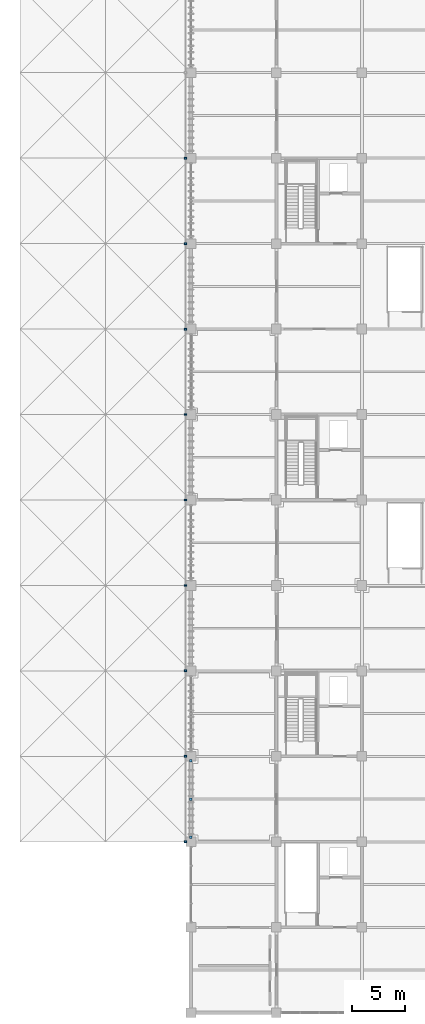
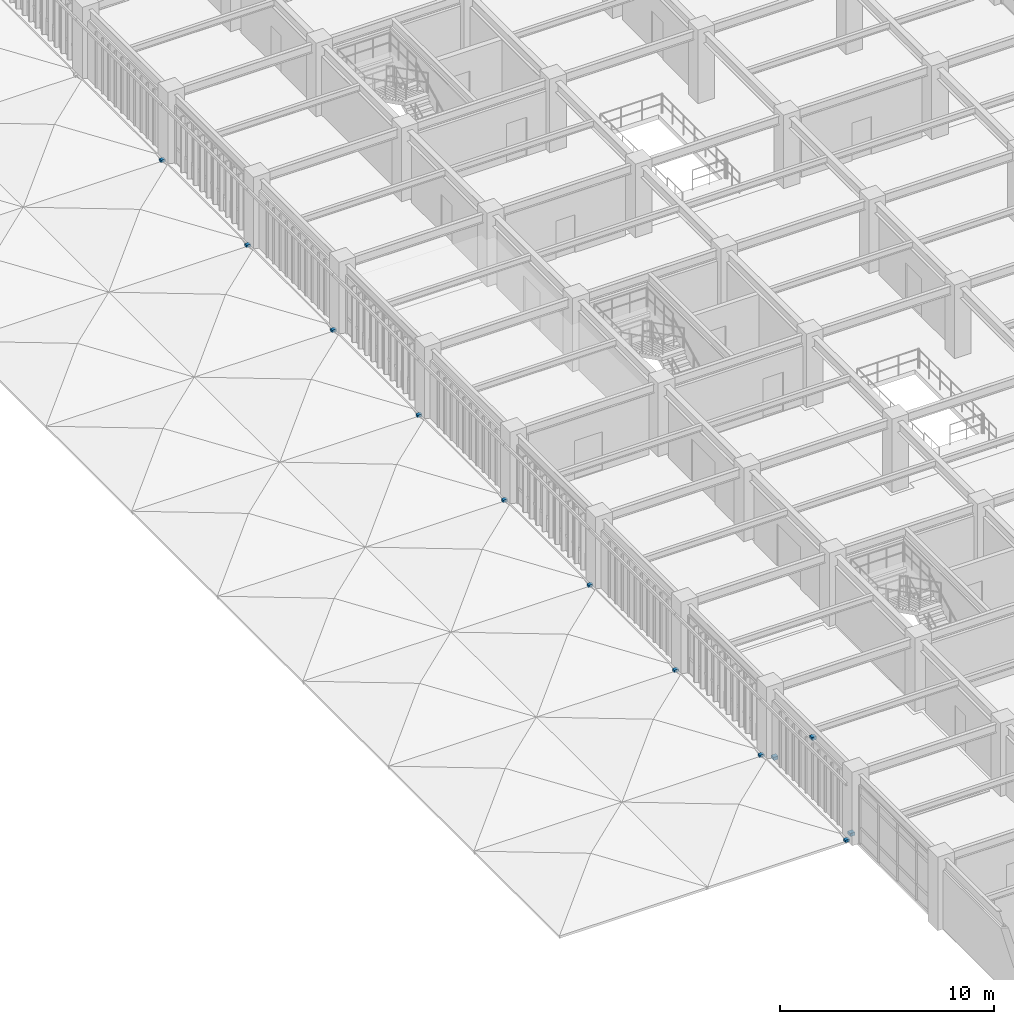
# One storey, part 99 of 118: 12 discrete accessories.
"""IFC4 building model written with IfcOpenShell, lengths in metres."""

from ifc_helpers import new_model, si_unit, direction, frame, origin, origin_2d, place, context, subcontext, project, spatial, rectangle, extrude, material, layer, layer_set, type_object, element, save


model = new_model("IFC4")

# Units and contexts
model_context = context("Model", 3, precision=1e-05, world=origin(), true_north=direction((0.0, 1.0)))
body_context = subcontext(model_context, "Body", "Model", "MODEL_VIEW")
ifc_project = project(units=[si_unit("LENGTHUNIT", "METRE"), si_unit("AREAUNIT", "SQUARE_METRE"), si_unit("VOLUMEUNIT", "CUBIC_METRE"), si_unit("PLANEANGLEUNIT", "RADIAN"), si_unit("MASSUNIT", "GRAM", prefix="KILO")], contexts=[model_context])

# Site, building, storey
site_placement = place(None, origin())
site = spatial("IfcSite", under=ifc_project, at=site_placement, CompositionType="ELEMENT")
building_placement = place(site_placement, origin())
building = spatial("IfcBuilding", under=site, at=building_placement, Name="Haebicheon Civic Stadium", CompositionType="ELEMENT")
storey_placement = place(building_placement, frame((0.0, 0.0, 14.39990234375)))
storey = spatial("IfcBuildingStorey", under=building, at=storey_placement, Name="L04", CompositionType="ELEMENT", Elevation=14.39990234375)

# Discrete accessories
ifc_material_1 = material(Name="White painted steel SM490", Category="steel")
ifc_layer_1 = layer(ifc_material_1, 0.179931640625, Name="White painted steel SM490")
ifc_layer_set_1 = layer_set([ifc_layer_1], Name="White painted steel SM490")
discrete_accessory_type_1 = type_object("IfcDiscreteAccessoryType", Name="BRK-END-PLT", PredefinedType="BRACKET", material=ifc_layer_set_1)
for number, where, z_axis, x_axis, name in (
    (1, (24.0, 48.419921875, -0.0498046875), (0.0, 0.0, 1.0), (1.0, 0.0, 0.0), "Brace L04-03-06 bolted end connection plate"),
    (2, (24.0, 55.580078125, -0.0498046875), (0.0, 0.0, 1.0), (1.0, 0.0, 0.0), "Brace L04-03-06 bolted end connection plate"),
    (3, (24.0, 52.0, 3.25), (0.0, 0.0, 1.0), (1.0, 0.0, 0.0), "Brace L04-03-06 bolted end connection plate"),
):
    element("IfcDiscreteAccessory", number, at=place(storey_placement, frame(where, z_axis=z_axis, x_axis=x_axis)), inside=storey, type_object=discrete_accessory_type_1, material=ifc_layer_set_1, Name=name, PredefinedType="BRACKET", context=body_context, shape_type="SweptSolid", body=[
        extrude(rectangle(XDim=0.239990234375, YDim=0.239990234375, at=origin_2d()), origin(), (0.0, 0.0, 1.0), 0.179931640625),
    ])
ifc_material_2 = material(Name="Stainless steel 316", Category="steel")
ifc_layer_2 = layer(ifc_material_2, 0.139892578125, Name="Stainless steel 316")
ifc_layer_set_2 = layer_set([ifc_layer_2], Name="Stainless steel 316")
discrete_accessory_type_2 = type_object("IfcDiscreteAccessoryType", Name="BRK-LVR-CLEAT", PredefinedType="BRACKET", material=ifc_layer_set_2)
for number, where, z_axis, x_axis, name in (
    (4, (23.510009765625, 48.0, 0.01025390625), (0.0, 0.0, 1.0), (1.0, 0.0, 0.0), "SCR-WEST L04 stainless bracket cleat 1A"),
    (5, (23.510009765625, 56.0, 0.01025390625), (0.0, 0.0, 1.0), (1.0, 0.0, 0.0), "SCR-WEST L04 stainless bracket cleat 1B"),
    (6, (23.510009765625, 64.0, 0.01025390625), (0.0, 0.0, 1.0), (1.0, 0.0, 0.0), "SCR-WEST L04 stainless bracket cleat 2B"),
    (7, (23.510009765625, 72.0, 0.01025390625), (0.0, 0.0, 1.0), (1.0, 0.0, 0.0), "SCR-WEST L04 stainless bracket cleat 3B"),
    (8, (23.510009765625, 80.0, 0.01025390625), (0.0, 0.0, 1.0), (1.0, 0.0, 0.0), "SCR-WEST L04 stainless bracket cleat 4B"),
    (9, (23.510009765625, 88.0, 0.01025390625), (0.0, 0.0, 1.0), (1.0, 0.0, 0.0), "SCR-WEST L04 stainless bracket cleat 5B"),
    (10, (23.510009765625, 96.0, 0.01025390625), (0.0, 0.0, 1.0), (1.0, 0.0, 0.0), "SCR-WEST L04 stainless bracket cleat 6B"),
    (11, (23.510009765625, 104.0, 0.01025390625), (0.0, 0.0, 1.0), (1.0, 0.0, 0.0), "SCR-WEST L04 stainless bracket cleat 7B"),
    (12, (23.510009765625, 112.0, 0.01025390625), (0.0, 0.0, 1.0), (1.0, 0.0, 0.0), "SCR-WEST L04 stainless bracket cleat 8B"),
):
    element("IfcDiscreteAccessory", number, at=place(storey_placement, frame(where, z_axis=z_axis, x_axis=x_axis)), inside=storey, type_object=discrete_accessory_type_2, material=ifc_layer_set_2, Name=name, PredefinedType="BRACKET", context=body_context, shape_type="SweptSolid", body=[
        extrude(rectangle(XDim=0.239990234375, YDim=0.179931640625, at=origin_2d()), origin(), (0.0, 0.0, 1.0), 0.139892578125),
    ])

save(model, "model.ifc")
